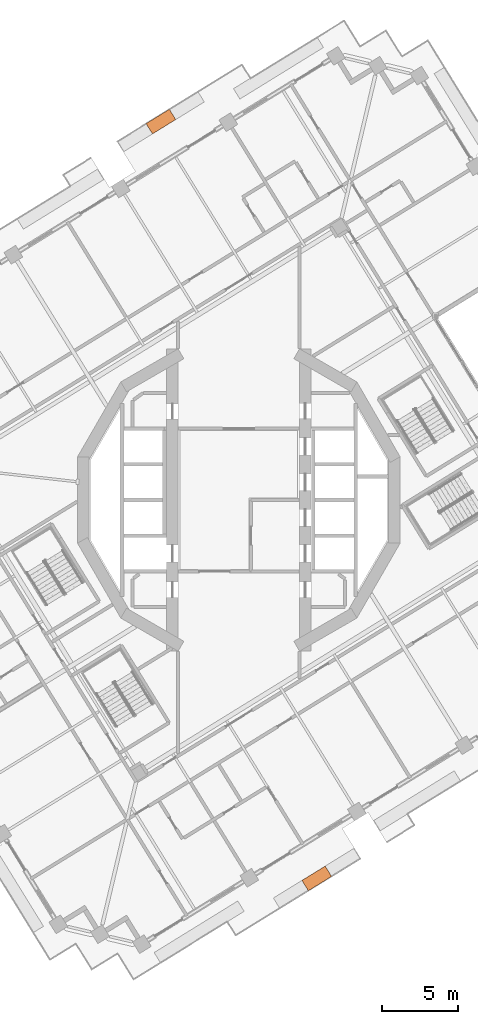
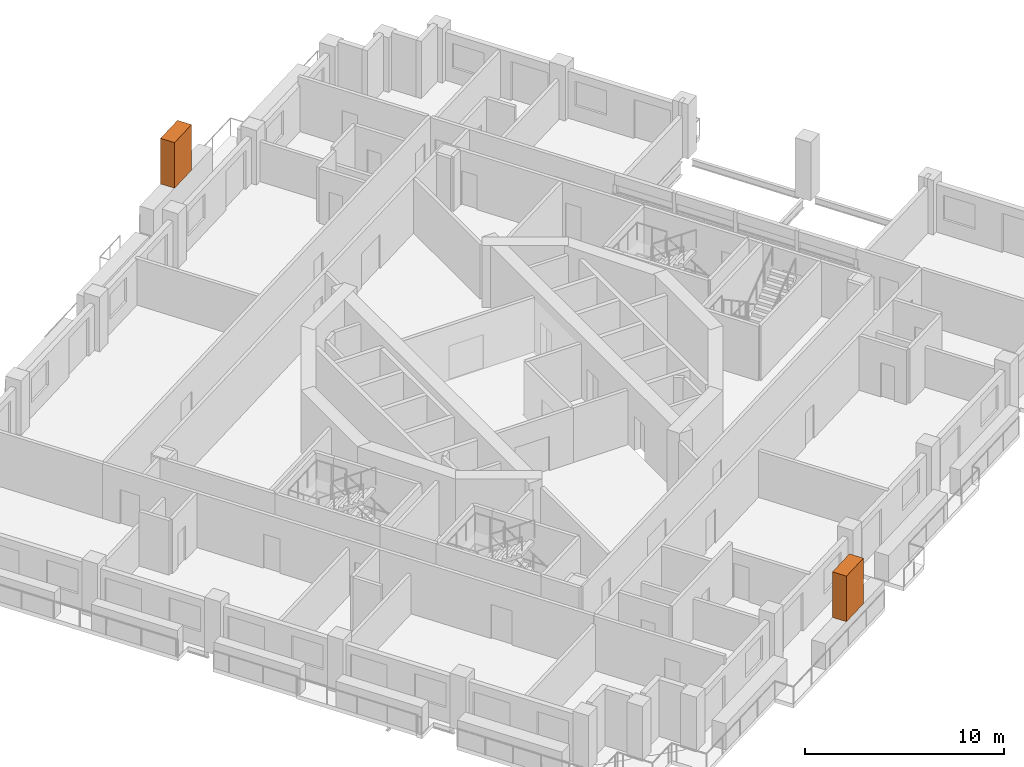
# One storey, part 21 of 21: 2 proxies.
"""IFC4 building model written with IfcOpenShell, lengths in metres."""

from ifc_helpers import new_model, si_unit, direction, frame, origin, origin_2d, place, context, subcontext, project, spatial, rectangle, extrude, element, save


model = new_model("IFC4")

# Units and contexts
model_context = context("Model", 3, precision=1e-05, world=origin(), true_north=direction((0.0, 1.0)))
body_context = subcontext(model_context, "Body", "Model", "MODEL_VIEW")
ifc_project = project(units=[si_unit("LENGTHUNIT", "METRE"), si_unit("AREAUNIT", "SQUARE_METRE"), si_unit("VOLUMEUNIT", "CUBIC_METRE"), si_unit("PLANEANGLEUNIT", "RADIAN"), si_unit("MASSUNIT", "GRAM", prefix="KILO")], contexts=[model_context])

# Site, building, storey
site_placement = place(None, origin())
site = spatial("IfcSite", under=ifc_project, at=site_placement, CompositionType="ELEMENT")
building_placement = place(site_placement, origin())
building = spatial("IfcBuilding", under=site, at=building_placement, Name="Cantera Rosa Tower", CompositionType="ELEMENT")
storey_placement = place(building_placement, frame((0.0, 0.0, 185.60009765625)))
storey = spatial("IfcBuildingStorey", under=building, at=storey_placement, Name="L41", CompositionType="ELEMENT", Elevation=185.60009765625)

# Proxies
for number, where, z_axis, x_axis, name in (
    (1, (-5.13427734375, 24.93408203125, 1.60009765625), (0.0, 0.0, 1.0), (-0.851116672434, -0.52497658034, 0.0), "TREE L41-07"),
    (2, (5.13427734375, -24.93408203125, 1.60009765625), (0.0, 0.0, 1.0), (0.851116672434, 0.52497658034, 0.0), "TREE L41-17"),
):
    element("IfcBuildingElementProxy", number, at=place(storey_placement, frame(where, z_axis=z_axis, x_axis=x_axis)), inside=storey, Name=name, ObjectType="TREE", PredefinedType="USERDEFINED", context=body_context, shape_type="SweptSolid", body=[
        extrude(rectangle(XDim=1.800048828125, YDim=0.800048828125, at=origin_2d()), origin(), (0.0, 0.0, 1.0), 2.800048828125),
    ])

save(model, "model.ifc")
